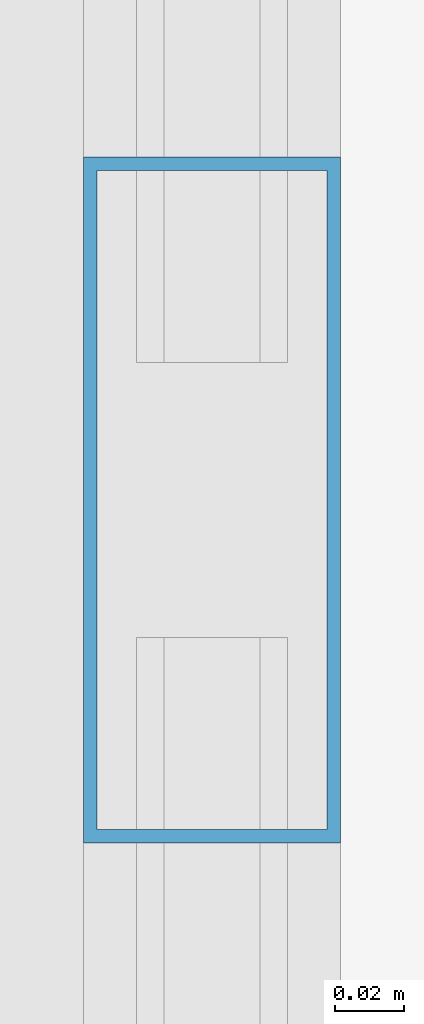
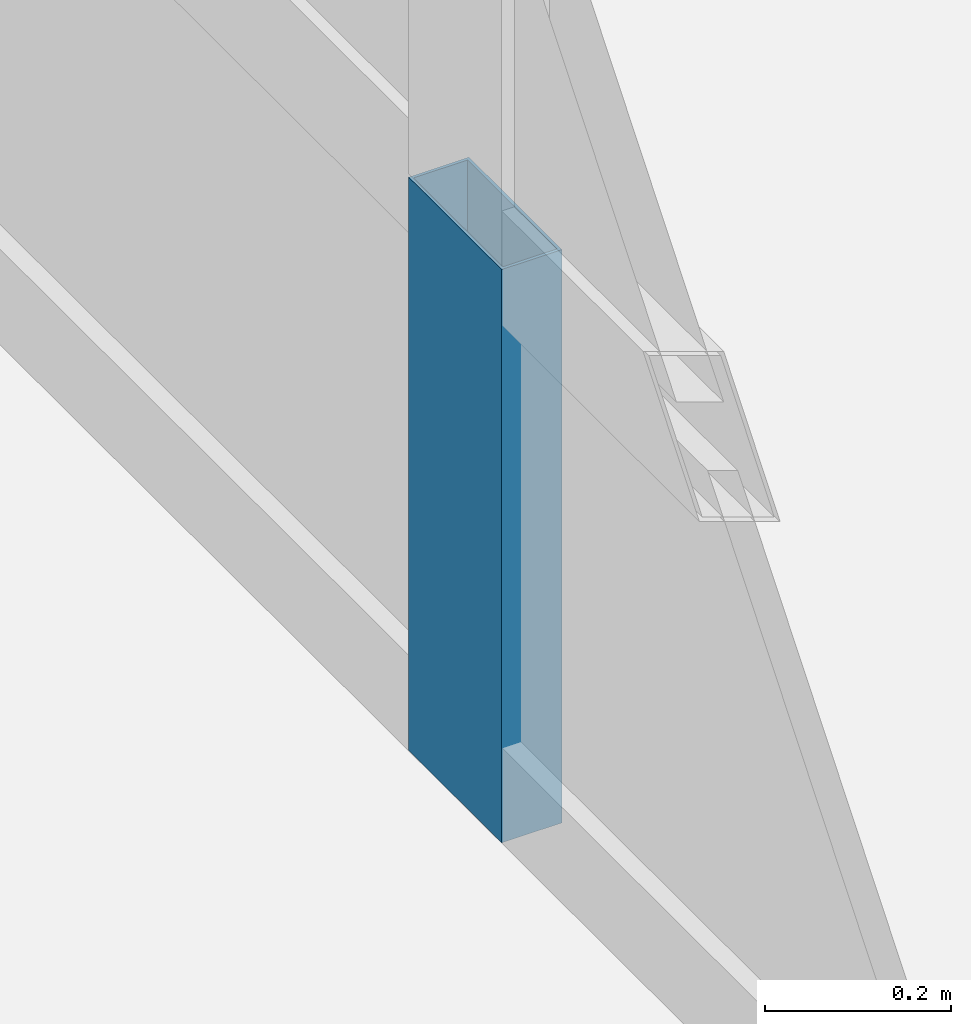
# One storey, part 22 of 35: 1 member, 1 element without a shape of its own.
"""IFC4 building model written with IfcOpenShell, lengths in metres."""

from ifc_helpers import new_model, si_unit, direction, frame, origin, origin_2d, place, context, subcontext, project, spatial, hollow_rectangle, extrude, source, transform, mapped, material, layer, layer_set, material_profile, profile_set, type_object, element, aggregate, save


model = new_model("IFC4")

# Units and contexts
model_context = context("Model", 3, precision=1e-05, world=origin(), true_north=direction((0.0, 1.0)))
body_context = subcontext(model_context, "Body", "Model", "MODEL_VIEW")
ifc_project = project(units=[si_unit("LENGTHUNIT", "METRE"), si_unit("AREAUNIT", "SQUARE_METRE"), si_unit("VOLUMEUNIT", "CUBIC_METRE"), si_unit("PLANEANGLEUNIT", "RADIAN"), si_unit("MASSUNIT", "GRAM", prefix="KILO"), si_unit("THERMODYNAMICTEMPERATUREUNIT", "KELVIN"), si_unit("POWERUNIT", "WATT")], contexts=[model_context])

# Site, building, storey
site_placement = place(None, origin())
site = spatial("IfcSite", under=ifc_project, at=site_placement, CompositionType="ELEMENT")
building_placement = place(site_placement, origin())
building = spatial("IfcBuilding", under=site, at=building_placement, Name="Yuzanri Waterfront Tower", CompositionType="ELEMENT")
storey_placement = place(building_placement, frame((0.0, 0.0, 318.199951171875)))
storey = spatial("IfcBuildingStorey", under=building, at=storey_placement, Name="L85", CompositionType="ELEMENT", Elevation=318.199951171875)

# Curtain wall, member
ifc_material_1 = material(Name="Anodized Architectural Bronze", Category="metal")
ifc_layer = layer(ifc_material_1, 0.159912109375)
ifc_layer_set = layer_set([ifc_layer], Name="Anodized Architectural Bronze")
curtain_wall_type = type_object("IfcCurtainWallType", Name="Anodized Bronze High-Rise Penthouse High-Wind Unitized Curtain Wall 6900", PredefinedType="NOTDEFINED", material=ifc_layer_set)
curtain_wall_placement = place(storey_placement, origin())
curtain_wall = element("IfcCurtainWall", 1, at=curtain_wall_placement, inside=storey, type_object=curtain_wall_type, Name="L85 Curtain Wall CW-L85-WL", PredefinedType="NOTDEFINED")
ifc_material_2 = material(Name="Anodized Architectural Bronze", Category="metal")
ifc_material_profile = material_profile(ifc_material_2, hollow_rectangle(XDim=0.074951171875, YDim=0.199951171875, WallThickness=0.00390625, at=origin_2d()), Name="CWM 75x200")
ifc_profile_set = profile_set([ifc_material_profile], Name="Anodized Architectural Bronze")
member_type = type_object("IfcMemberType", Name="Anodized Bronze Primary Curtain-Wall Mullion 75x200", PredefinedType="MULLION", material=ifc_profile_set)
shared_shape = source(origin(), body_context, "Body", "SweptSolid", [
    extrude(hollow_rectangle(XDim=0.074951171875, YDim=0.199951171875, WallThickness=0.00390625, at=origin_2d()), origin(), (0.0, 0.0, 1.0), 0.751953125),
])
member_placement = place(storey_placement, frame((18.050048828125, 19.75, 0.0), z_axis=(0.0, 0.0, 1.0), x_axis=(1.0, 0.0, 0.0)))
member = element("IfcMember", 2, at=member_placement, type_object=member_type, Name="CW-L85-WL Lower Mullion 01", PredefinedType="MULLION", context=body_context, shape_type="MappedRepresentation", body=[
    mapped(shared_shape, transform((0.0, 0.0, 0.0), scale=1.0)),
])
aggregate(curtain_wall, [member])

save(model, "model.ifc")
